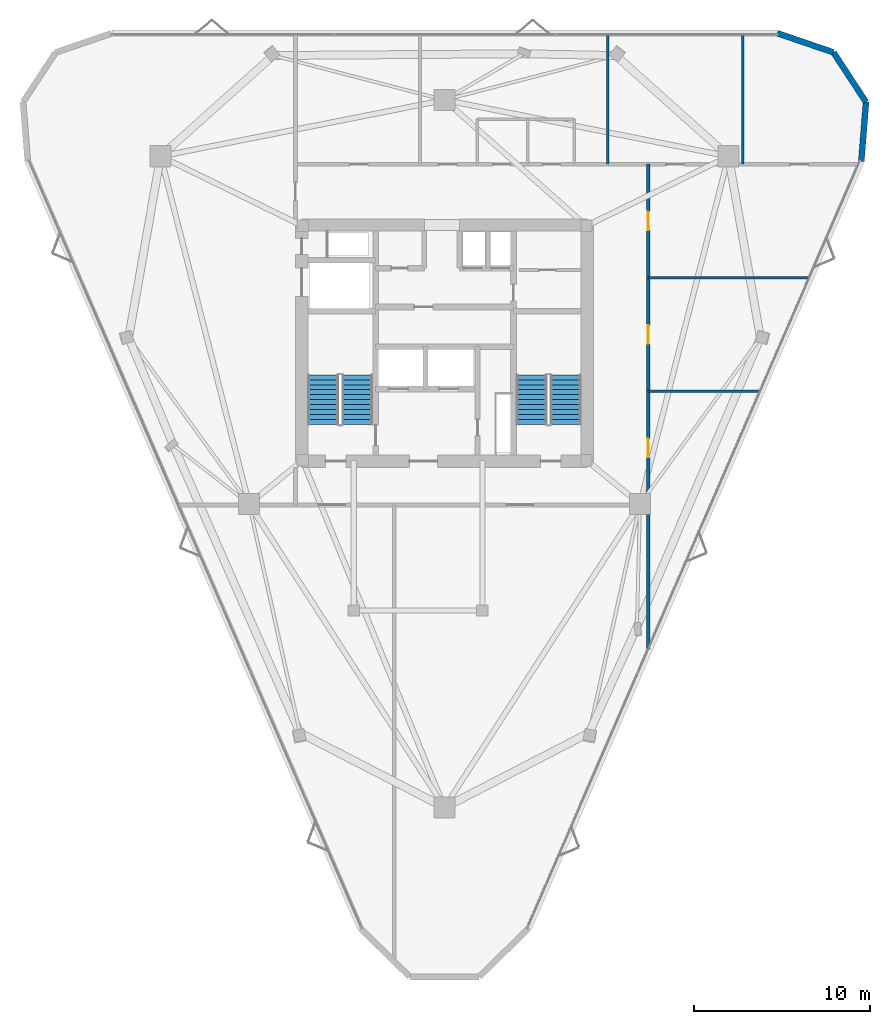
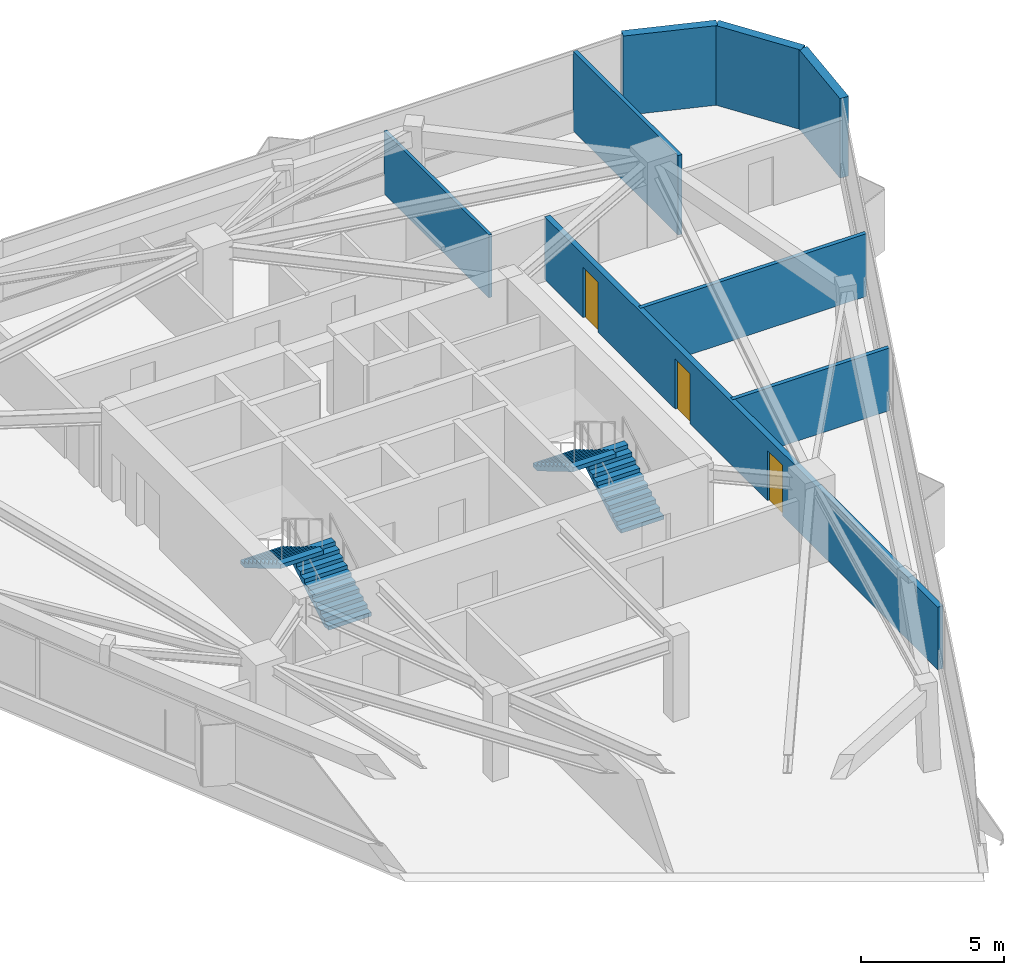
# One storey, part 10 of 11: 8 walls, 4 stair flights, 3 doors, 3 openings, 2 elements without a shape of their own.
"""IFC4 building model written with IfcOpenShell, lengths in metres."""

from ifc_helpers import new_model, si_unit, direction, frame, frame_2d, origin, place, context, subcontext, project, spatial, polyline, rectangle, outline, extrude, material, layer, layer_set, type_object, element, fill, aggregate, save


model = new_model("IFC4")

# Units and contexts
model_context = context("Model", 3, precision=1e-05, world=origin(), true_north=direction((0.0, 1.0)))
body_context = subcontext(model_context, "Body", "Model", "MODEL_VIEW")
ifc_project = project(units=[si_unit("LENGTHUNIT", "METRE"), si_unit("AREAUNIT", "SQUARE_METRE"), si_unit("VOLUMEUNIT", "CUBIC_METRE"), si_unit("PLANEANGLEUNIT", "RADIAN"), si_unit("MASSUNIT", "GRAM", prefix="KILO")], contexts=[model_context])

# Site, building, storey
site_placement = place(None, origin())
site = spatial("IfcSite", under=ifc_project, at=site_placement, CompositionType="ELEMENT")
building_placement = place(site_placement, origin())
building = spatial("IfcBuilding", under=site, at=building_placement, Name="Talyreon Biosciences Tower", CompositionType="ELEMENT")
storey_placement = place(building_placement, frame((0.0, 0.0, 238.89990234375)))
storey = spatial("IfcBuildingStorey", under=building, at=storey_placement, Name="L63", CompositionType="ELEMENT", Elevation=238.89990234375)

# Wall, openings, doors
ifc_material_1 = material(Name="Gypsum fireboard acoustic stud", Category="gypsum")
ifc_layer_1 = layer(ifc_material_1, 0.219970703125)
ifc_layer_set_1 = layer_set([ifc_layer_1], Name="Gypsum fireboard acoustic stud")
wall_type_1 = type_object("IfcWallType", Name="CorridorRatedPartition_220", PredefinedType="PARTITIONING", material=ifc_layer_set_1)
wall_1_placement = place(storey_placement, frame((77.550048828125, 50.6484375, 0.0), z_axis=(0.0, 0.0, 1.0), x_axis=(0.0, 1.0, 0.0)))
wall_1 = element("IfcWall", 1, at=wall_1_placement, inside=storey, type_object=wall_type_1, Name="L63 Interior Wall IW-L63-COR-E", PredefinedType="PARTITIONING", context=body_context, shape_type="SweptSolid", body=[
    extrude(rectangle(XDim=27.50146484375, YDim=0.219970703125, at=frame_2d((13.750732421875, 0.0))), origin(), (0.0, 0.0, 1.0), 2.68017578125),
])
opening_1_placement = place(wall_1_placement, frame((10.876953125, 0.0, 0.0)))
opening_1 = element("IfcOpeningElement", 2, at=opening_1_placement, cuts=wall_1, Name="Opening DR-L63-E1A", PredefinedType="OPENING", context=body_context, shape_type="SweptSolid", body=[
    extrude(rectangle(XDim=1.050048828125, YDim=2.14990234375, at=frame_2d((0.52490234375, 1.074951171875))), frame((0.0, 0.119873046875, 0.0), z_axis=(0.0, -1.0, 0.0), x_axis=(1.0, 0.0, 0.0)), (0.0, 0.0, 1.0), 0.239990234375),
])
opening_2_placement = place(wall_1_placement, frame((17.31689453125, 0.0, 0.0)))
opening_2 = element("IfcOpeningElement", 3, at=opening_2_placement, cuts=wall_1, Name="Opening DR-L63-E2A", PredefinedType="OPENING", context=body_context, shape_type="SweptSolid", body=[
    extrude(rectangle(XDim=1.050048828125, YDim=2.14990234375, at=frame_2d((0.52490234375, 1.074951171875))), frame((0.0, 0.119873046875, 0.0), z_axis=(0.0, -1.0, 0.0), x_axis=(1.0, 0.0, 0.0)), (0.0, 0.0, 1.0), 0.239990234375),
])
opening_3_placement = place(wall_1_placement, frame((23.757080078125, 0.0, 0.0)))
opening_3 = element("IfcOpeningElement", 4, at=opening_3_placement, cuts=wall_1, Name="Opening DR-L63-E3A", PredefinedType="OPENING", context=body_context, shape_type="SweptSolid", body=[
    extrude(rectangle(XDim=1.050048828125, YDim=2.14990234375, at=frame_2d((0.52490234375, 1.074951171875))), frame((0.0, 0.119873046875, 0.0), z_axis=(0.0, -1.0, 0.0), x_axis=(1.0, 0.0, 0.0)), (0.0, 0.0, 1.0), 0.239990234375),
])
ifc_material_2 = material(Name="Acoustic timber-core laboratory door", Category="wood")
door_type = type_object("IfcDoorType", Name="DryLabSingleDoor_1050x2150", OperationType="NOTDEFINED", PredefinedType="DOOR", material=ifc_material_2)
door_1_placement = place(opening_1_placement, origin())
door_1 = element("IfcDoor", 5, at=door_1_placement, inside=storey, type_object=door_type, Name="L63 Interior Door DR-L63-E1A", OperationType="SINGLE_SWING_LEFT", OverallHeight=2.14990234375, OverallWidth=1.050048828125, PredefinedType="DOOR", context=body_context, shape_type="SweptSolid", body=[
    extrude(rectangle(XDim=1.050048828125, YDim=2.14990234375, at=frame_2d((0.52490234375, 1.074951171875))), frame((0.0, 0.02490234375, 0.0), z_axis=(0.0, -1.0, 0.0), x_axis=(1.0, 0.0, 0.0)), (0.0, 0.0, 1.0), 0.050048828125),
])
fill(opening_1, door_1)
door_2_placement = place(opening_2_placement, origin())
door_2 = element("IfcDoor", 6, at=door_2_placement, inside=storey, type_object=door_type, Name="L63 Interior Door DR-L63-E2A", OperationType="SINGLE_SWING_RIGHT", OverallHeight=2.14990234375, OverallWidth=1.050048828125, PredefinedType="DOOR", context=body_context, shape_type="SweptSolid", body=[
    extrude(rectangle(XDim=1.050048828125, YDim=2.14990234375, at=frame_2d((0.52490234375, 1.074951171875))), frame((0.0, 0.02490234375, 0.0), z_axis=(0.0, -1.0, 0.0), x_axis=(1.0, 0.0, 0.0)), (0.0, 0.0, 1.0), 0.050048828125),
])
fill(opening_2, door_2)
door_3_placement = place(opening_3_placement, origin())
door_3 = element("IfcDoor", 7, at=door_3_placement, inside=storey, type_object=door_type, Name="L63 Interior Door DR-L63-E3A", OperationType="SINGLE_SWING_LEFT", OverallHeight=2.14990234375, OverallWidth=1.050048828125, PredefinedType="DOOR", context=body_context, shape_type="SweptSolid", body=[
    extrude(rectangle(XDim=1.050048828125, YDim=2.14990234375, at=frame_2d((0.52490234375, 1.074951171875))), frame((0.0, 0.02490234375, 0.0), z_axis=(0.0, -1.0, 0.0), x_axis=(1.0, 0.0, 0.0)), (0.0, 0.0, 1.0), 0.050048828125),
])
fill(opening_3, door_3)

# Walls
ifc_material_3 = material(Name="Gypsum acoustic stud partition", Category="gypsum")
ifc_layer_2 = layer(ifc_material_3, 0.159912109375)
ifc_layer_set_2 = layer_set([ifc_layer_2], Name="Gypsum acoustic stud partition")
wall_type_2 = type_object("IfcWallType", Name="LabSeparationPartition_160", PredefinedType="PARTITIONING", material=ifc_layer_set_2)
wall_2_placement = place(storey_placement, frame((82.909912109375, 78.14990234375, 0.0), z_axis=(0.0, 0.0, 1.0), x_axis=(0.0, 1.0, 0.0)))
element("IfcWall", 8, at=wall_2_placement, inside=storey, type_object=wall_type_2, Name="L63 Interior Wall IW-L63-NDIV3", PredefinedType="PARTITIONING", context=body_context, shape_type="SweptSolid", body=[
    extrude(rectangle(XDim=7.349853515625, YDim=0.159912109375, at=frame_2d((3.6748046875, 0.0))), origin(), (0.0, 0.0, 1.0), 3.400146484375),
])
wall_3_placement = place(storey_placement, frame((77.550048828125, 65.27001953125, 0.0), z_axis=(0.0, 0.0, 1.0), x_axis=(1.0, 0.0, 0.0)))
element("IfcWall", 9, at=wall_3_placement, inside=storey, type_object=wall_type_2, Name="L63 Interior Wall IW-L63-EDIV1", PredefinedType="PARTITIONING", context=body_context, shape_type="SweptSolid", body=[
    extrude(rectangle(XDim=6.34033203125, YDim=0.159912109375, at=frame_2d((3.170166015625, 0.0))), origin(), (0.0, 0.0, 1.0), 2.68017578125),
])
wall_4_placement = place(storey_placement, frame((77.550048828125, 71.7099609375, 0.0), z_axis=(0.0, 0.0, 1.0), x_axis=(1.0, 0.0, 0.0)))
element("IfcWall", 10, at=wall_4_placement, inside=storey, type_object=wall_type_2, Name="L63 Interior Wall IW-L63-EDIV2", PredefinedType="PARTITIONING", context=body_context, shape_type="SweptSolid", body=[
    extrude(rectangle(XDim=9.1328125, YDim=0.159912109375, at=frame_2d((4.56640625, 0.0))), origin(), (0.0, 0.0, 1.0), 2.68017578125),
])
ifc_layer_3 = layer(ifc_material_3, 0.1298828125)
ifc_layer_set_3 = layer_set([ifc_layer_3], Name="Gypsum acoustic stud partition")
wall_type_3 = type_object("IfcWallType", Name="OfficeWriteupPartition_130", PredefinedType="PARTITIONING", material=ifc_layer_set_3)
wall_5_placement = place(storey_placement, frame((75.25, 78.14990234375, 0.0), z_axis=(0.0, 0.0, 1.0), x_axis=(0.0, 1.0, 0.0)))
element("IfcWall", 11, at=wall_5_placement, inside=storey, type_object=wall_type_3, Name="L63 Interior Wall IW-L63-NDIV2", PredefinedType="PARTITIONING", context=body_context, shape_type="SweptSolid", body=[
    extrude(rectangle(XDim=7.349853515625, YDim=0.1298828125, at=frame_2d((3.6748046875, 0.0))), origin(), (0.0, 0.0, 1.0), 2.68017578125),
])
ifc_material_4 = material(Name="Precast concrete C45/55", Category="concrete")
ifc_layer_4 = layer(ifc_material_4, 0.340087890625)
ifc_layer_set_4 = layer_set([ifc_layer_4], Name="Precast concrete C45/55")
wall_type_4 = type_object("IfcWallType", Name="PrecastConcreteSpandrelWall_340", PredefinedType="STANDARD", material=ifc_layer_set_4)
for number, where, z_axis, x_axis, name in (
    (12, (84.869140625, 85.584716796875, 0.0), (0.0, 0.0, 1.0), (0.946043059633, -0.324040937724, 0.0), "L63 Rounded-Corner Concrete Pier 05"),
    (13, (88.057373046875, 84.49267578125, 0.0), (0.0, 0.0, 1.0), (0.548700748562, -0.836018832639, 0.0), "L63 Rounded-Corner Concrete Pier 06"),
):
    element("IfcWall", number, at=place(storey_placement, frame(where, z_axis=z_axis, x_axis=x_axis)), inside=storey, type_object=wall_type_4, Name=name, PredefinedType="STANDARD", context=body_context, shape_type="SweptSolid", body=[
        extrude(rectangle(XDim=3.3701171875, YDim=0.340087890625, at=frame_2d((1.68505859375, 0.0))), origin(), (0.0, 0.0, 1.0), 3.400146484375),
    ])
wall_6_placement = place(storey_placement, frame((89.906494140625, 81.67529296875, 0.0), z_axis=(0.0, 0.0, 1.0), x_axis=(-0.079111730003, -0.996865755343, 0.0)))
element("IfcWall", 14, at=wall_6_placement, inside=storey, type_object=wall_type_4, Name="L63 Rounded-Corner Concrete Pier 07", PredefinedType="STANDARD", context=body_context, shape_type="SweptSolid", body=[
    extrude(rectangle(XDim=3.369873046875, YDim=0.340087890625, at=frame_2d((1.68505859375, 0.0))), origin(), (0.0, 0.0, 1.0), 3.400146484375),
])

# Stair, stair flights
ifc_material_5 = material(Name="Concrete C40/50", Category="concrete")
stair_type = type_object("IfcStairType", Name="DoglegEscapeStair_3650", PredefinedType="HALF_TURN_STAIR", material=ifc_material_5)
stair_1_placement = place(storey_placement, origin())
stair_1 = element("IfcStair", 15, at=stair_1_placement, inside=storey, type_object=stair_type, Name="L63 Core Escape Stair 1", PredefinedType="HALF_TURN_STAIR")
stair_flight_type = type_object("IfcStairFlightType", Name="PrecastStairFlight_3650", PredefinedType="STRAIGHT", material=ifc_material_5)
stair_flight_1_placement = place(storey_placement, frame((61.06005859375, 63.39990234375, 0.0), z_axis=(0.0, 0.0, 1.0), x_axis=(0.0, 1.0, 0.0)))
stair_flight_1 = element("IfcStairFlight", 16, at=stair_flight_1_placement, type_object=stair_flight_type, Name="ST-1 flight 1", NumberOfRisers=11, NumberOfTreads=10, PredefinedType="STRAIGHT", RiserHeight=0.165909091, TreadLength=0.28, context=body_context, shape_type="SweptSolid", body=[
    extrude(outline(polyline([(0.0, 0.0), (0.0, 0.166015625), (0.280029296875, 0.166015625), (0.280029296875, 0.331787109375), (0.56005859375, 0.331787109375), (0.56005859375, 0.497802734375), (0.840087890625, 0.497802734375), (0.840087890625, 0.66357421875), (1.1201171875, 0.66357421875), (1.1201171875, 0.82958984375), (1.39990234375, 0.82958984375), (1.39990234375, 0.995361328125), (1.679931640625, 0.995361328125), (1.679931640625, 1.161376953125), (1.9599609375, 1.161376953125), (1.9599609375, 1.327392578125), (2.239990234375, 1.327392578125), (2.239990234375, 1.4931640625), (2.52001953125, 1.4931640625), (2.52001953125, 1.6591796875), (2.800048828125, 1.6591796875), (2.800048828125, 1.824951171875), (2.800048828125, 1.48486328125), (0.2939453125, 0.0), (0.0, 0.0)])), frame((0.0, 0.8701171875, 0.0), z_axis=(0.0, -1.0, 0.0), x_axis=(1.0, 0.0, 0.0)), (0.0, 0.0, 1.0), 1.739990234375),
])
stair_flight_2_placement = place(storey_placement, frame((59.1201171875, 66.199951171875, 1.8251953125), z_axis=(0.0, 0.0, 1.0), x_axis=(0.0, -1.0, 0.0)))
stair_flight_2 = element("IfcStairFlight", 17, at=stair_flight_2_placement, type_object=stair_flight_type, Name="ST-1 flight 2", NumberOfRisers=11, NumberOfTreads=10, PredefinedType="STRAIGHT", RiserHeight=0.165909091, TreadLength=0.28, context=body_context, shape_type="SweptSolid", body=[
    extrude(outline(polyline([(0.0, 0.0), (0.0, 0.166015625), (0.280029296875, 0.166015625), (0.280029296875, 0.331787109375), (0.56005859375, 0.331787109375), (0.56005859375, 0.497802734375), (0.840087890625, 0.497802734375), (0.840087890625, 0.66357421875), (1.1201171875, 0.66357421875), (1.1201171875, 0.82958984375), (1.39990234375, 0.82958984375), (1.39990234375, 0.995361328125), (1.679931640625, 0.995361328125), (1.679931640625, 1.161376953125), (1.9599609375, 1.161376953125), (1.9599609375, 1.327392578125), (2.239990234375, 1.327392578125), (2.239990234375, 1.4931640625), (2.52001953125, 1.4931640625), (2.52001953125, 1.6591796875), (2.800048828125, 1.6591796875), (2.800048828125, 1.824951171875), (2.800048828125, 1.48486328125), (0.2939453125, 0.0), (0.0, 0.0)])), frame((0.0, 0.8701171875, 0.0), z_axis=(0.0, -1.0, 0.0), x_axis=(1.0, 0.0, 0.0)), (0.0, 0.0, 1.0), 1.739990234375),
])
aggregate(stair_1, [stair_flight_1, stair_flight_2])

stair_2_placement = place(storey_placement, origin())
stair_2 = element("IfcStair", 18, at=stair_2_placement, inside=storey, type_object=stair_type, Name="L63 Core Escape Stair 2", PredefinedType="HALF_TURN_STAIR")
stair_flight_3_placement = place(storey_placement, frame((72.8798828125, 63.39990234375, 0.0), z_axis=(0.0, 0.0, 1.0), x_axis=(0.0, 1.0, 0.0)))
stair_flight_3 = element("IfcStairFlight", 19, at=stair_flight_3_placement, type_object=stair_flight_type, Name="ST-2 flight 1", NumberOfRisers=11, NumberOfTreads=10, PredefinedType="STRAIGHT", RiserHeight=0.165909091, TreadLength=0.28, context=body_context, shape_type="SweptSolid", body=[
    extrude(outline(polyline([(0.0, 0.0), (0.0, 0.166015625), (0.280029296875, 0.166015625), (0.280029296875, 0.331787109375), (0.56005859375, 0.331787109375), (0.56005859375, 0.497802734375), (0.840087890625, 0.497802734375), (0.840087890625, 0.66357421875), (1.1201171875, 0.66357421875), (1.1201171875, 0.82958984375), (1.39990234375, 0.82958984375), (1.39990234375, 0.995361328125), (1.679931640625, 0.995361328125), (1.679931640625, 1.161376953125), (1.9599609375, 1.161376953125), (1.9599609375, 1.327392578125), (2.239990234375, 1.327392578125), (2.239990234375, 1.4931640625), (2.52001953125, 1.4931640625), (2.52001953125, 1.6591796875), (2.800048828125, 1.6591796875), (2.800048828125, 1.824951171875), (2.800048828125, 1.48486328125), (0.2939453125, 0.0), (0.0, 0.0)])), frame((0.0, 0.8701171875, 0.0), z_axis=(0.0, -1.0, 0.0), x_axis=(1.0, 0.0, 0.0)), (0.0, 0.0, 1.0), 1.739990234375),
])
stair_flight_4_placement = place(storey_placement, frame((70.93994140625, 66.199951171875, 1.8251953125), z_axis=(0.0, 0.0, 1.0), x_axis=(0.0, -1.0, 0.0)))
stair_flight_4 = element("IfcStairFlight", 20, at=stair_flight_4_placement, type_object=stair_flight_type, Name="ST-2 flight 2", NumberOfRisers=11, NumberOfTreads=10, PredefinedType="STRAIGHT", RiserHeight=0.165909091, TreadLength=0.28, context=body_context, shape_type="SweptSolid", body=[
    extrude(outline(polyline([(0.0, 0.0), (0.0, 0.166015625), (0.280029296875, 0.166015625), (0.280029296875, 0.331787109375), (0.56005859375, 0.331787109375), (0.56005859375, 0.497802734375), (0.840087890625, 0.497802734375), (0.840087890625, 0.66357421875), (1.1201171875, 0.66357421875), (1.1201171875, 0.82958984375), (1.39990234375, 0.82958984375), (1.39990234375, 0.995361328125), (1.679931640625, 0.995361328125), (1.679931640625, 1.161376953125), (1.9599609375, 1.161376953125), (1.9599609375, 1.327392578125), (2.239990234375, 1.327392578125), (2.239990234375, 1.4931640625), (2.52001953125, 1.4931640625), (2.52001953125, 1.6591796875), (2.800048828125, 1.6591796875), (2.800048828125, 1.824951171875), (2.800048828125, 1.48486328125), (0.2939453125, 0.0), (0.0, 0.0)])), frame((0.0, 0.8701171875, 0.0), z_axis=(0.0, -1.0, 0.0), x_axis=(1.0, 0.0, 0.0)), (0.0, 0.0, 1.0), 1.739990234375),
])
aggregate(stair_2, [stair_flight_3, stair_flight_4])

save(model, "model.ifc")
